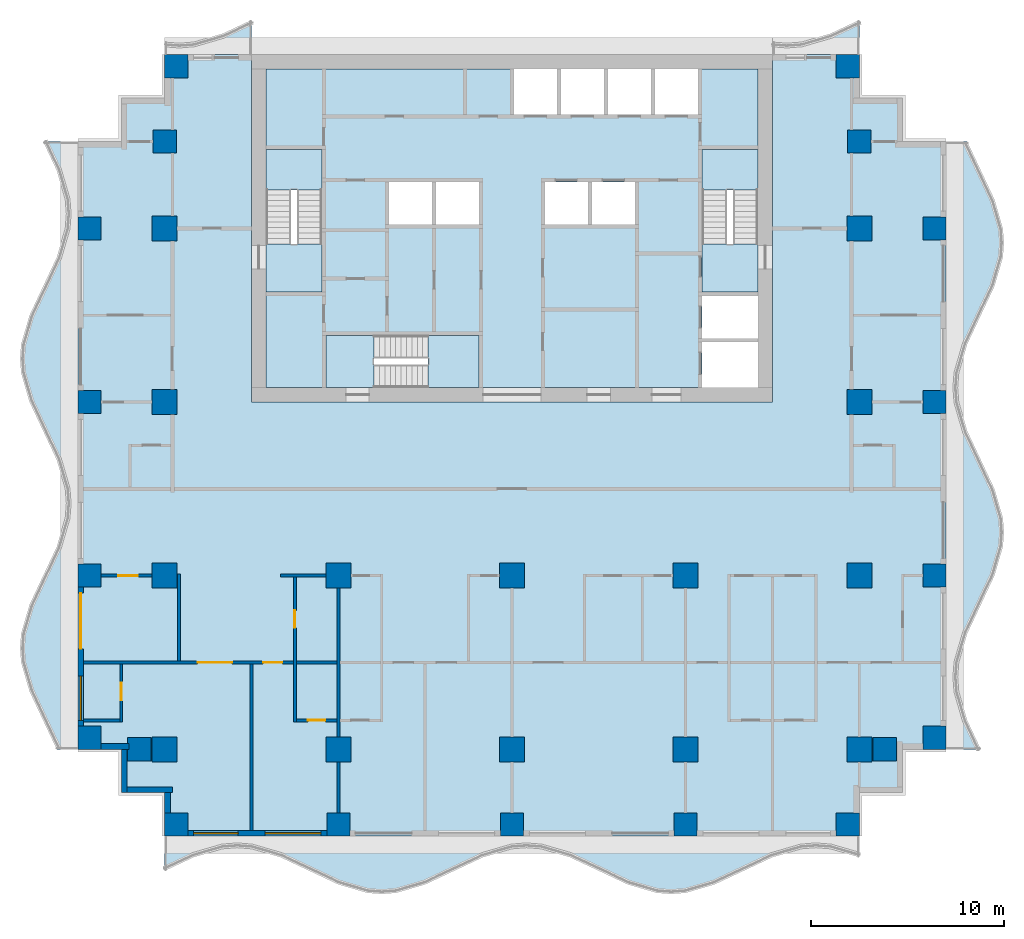
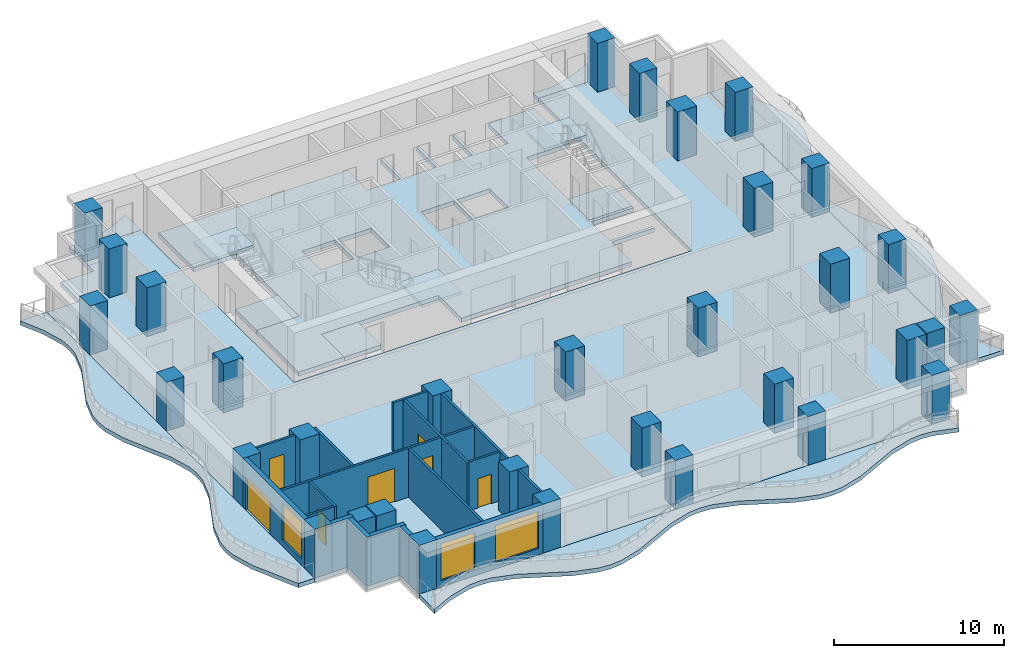
# One storey, part 1 of 10: 33 columns, 18 walls, 13 slabs, 7 doors, 3 windows, 10 openings, 3 elements without a shape of their own.
"""IFC4 building model written with IfcOpenShell, lengths in metres."""

from ifc_helpers import new_model, si_unit, direction, frame, frame_2d, origin, origin_2d, place, context, subcontext, project, spatial, polyline, rectangle, outline, extrude, material, layer, layer_set, material_profile, profile_set, type_object, element, fill, aggregate, save


model = new_model("IFC4")

# Units and contexts
model_context = context("Model", 3, precision=1e-05, world=origin(), true_north=direction((0.0, 1.0)))
body_context = subcontext(model_context, "Body", "Model", "MODEL_VIEW")
ifc_project = project(units=[si_unit("LENGTHUNIT", "METRE"), si_unit("AREAUNIT", "SQUARE_METRE"), si_unit("VOLUMEUNIT", "CUBIC_METRE"), si_unit("PLANEANGLEUNIT", "RADIAN"), si_unit("MASSUNIT", "GRAM", prefix="KILO")], contexts=[model_context])

# Site, building, storey
site_placement = place(None, origin())
site = spatial("IfcSite", under=ifc_project, at=site_placement, CompositionType="ELEMENT")
building_placement = place(site_placement, origin())
building = spatial("IfcBuilding", under=site, at=building_placement, Name="Orbiselva Terraces", CompositionType="ELEMENT")
storey_placement = place(building_placement, frame((0.0, 0.0, 128.8)))
storey = spatial("IfcBuildingStorey", under=building, at=storey_placement, Name="L32", CompositionType="ELEMENT", Elevation=128.8)

# Columns
ifc_material_1 = material(Name="Concrete C70/85", Category="concrete")
ifc_material_profile_1 = material_profile(ifc_material_1, rectangle(XDim=1.3, YDim=1.3, at=origin_2d()), Name="RC 1300x1300")
ifc_profile_set_1 = profile_set([ifc_material_profile_1], Name="Concrete C70/85")
column_type_1 = type_object("IfcColumnType", Name="COLUMN RC 1300x1300", PredefinedType="COLUMN", material=ifc_profile_set_1)
for number, where, z_axis, x_axis, name in (
    (1, (-18.0, -13.5, 0.0), (0.0, 0.0, 1.0), (1.0, 0.0, 0.0), "Column L32-01"),
    (2, (-18.0, -4.5, 0.0), (0.0, 0.0, 1.0), (1.0, 0.0, 0.0), "Column L32-03"),
    (3, (-18.0, 13.5, 0.0), (0.0, 0.0, 1.0), (1.0, 0.0, 0.0), "Column L32-04"),
    (4, (-18.0, 4.5, 0.0), (0.0, 0.0, 1.0), (1.0, 0.0, 0.0), "Column L32-06"),
    (5, (-9.0, -13.5, 0.0), (0.0, 0.0, 1.0), (1.0, 0.0, 0.0), "Column L32-13"),
    (6, (-9.0, -4.5, 0.0), (0.0, 0.0, 1.0), (1.0, 0.0, 0.0), "Column L32-15"),
    (7, (0.0, -13.5, 0.0), (0.0, 0.0, 1.0), (1.0, 0.0, 0.0), "Column L32-16"),
    (8, (0.0, -4.5, 0.0), (0.0, 0.0, 1.0), (1.0, 0.0, 0.0), "Column L32-18"),
    (9, (18.0, -13.5, 0.0), (0.0, 0.0, 1.0), (1.0, 0.0, 0.0), "Column L32-19"),
    (10, (18.0, -4.5, 0.0), (0.0, 0.0, 1.0), (1.0, 0.0, 0.0), "Column L32-21"),
    (11, (18.0, 13.5, 0.0), (0.0, 0.0, 1.0), (1.0, 0.0, 0.0), "Column L32-22"),
    (12, (18.0, 4.5, 0.0), (0.0, 0.0, 1.0), (1.0, 0.0, 0.0), "Column L32-24"),
    (13, (9.0, -13.5, 0.0), (0.0, 0.0, 1.0), (1.0, 0.0, 0.0), "Column L32-31"),
    (14, (9.0, -4.5, 0.0), (0.0, 0.0, 1.0), (1.0, 0.0, 0.0), "Column L32-33"),
):
    element("IfcColumn", number, at=place(storey_placement, frame(where, z_axis=z_axis, x_axis=x_axis)), inside=storey, type_object=column_type_1, Name=name, PredefinedType="COLUMN", context=body_context, shape_type="SweptSolid", body=[
        extrude(rectangle(XDim=1.3, YDim=1.3, at=origin_2d()), origin(), (0.0, 0.0, 1.0), 3.5),
    ])
ifc_material_2 = material(Name="Concrete C60/75", Category="concrete")
ifc_material_profile_2 = material_profile(ifc_material_2, rectangle(XDim=1.2, YDim=1.2, at=origin_2d()), Name="RC 1200x1200")
ifc_profile_set_2 = profile_set([ifc_material_profile_2], Name="Concrete C60/75")
column_type_2 = type_object("IfcColumnType", Name="PERIMETER COLUMN RC 1200x1200", PredefinedType="COLUMN", material=ifc_profile_set_2)
for number, where, z_axis, x_axis, name in (
    (15, (-17.4, -17.4, 0.0), (0.0, 0.0, 1.0), (1.0, 0.0, 0.0), "Column L32-02"),
    (16, (-17.4, 21.9, 0.0), (0.0, 0.0, 1.0), (1.0, 0.0, 0.0), "Column L32-05"),
    (17, (-21.9, -12.9, 0.0), (0.0, 0.0, 1.0), (1.0, 0.0, 0.0), "Column L32-07"),
    (18, (-19.32, -13.5, 0.0), (0.0, 0.0, 1.0), (1.0, 0.0, 0.0), "Column L32-08"),
    (19, (-21.9, -4.5, 0.0), (0.0, 0.0, 1.0), (1.0, 0.0, 0.0), "Column L32-09"),
    (20, (-21.9, 13.5, 0.0), (0.0, 0.0, 1.0), (1.0, 0.0, 0.0), "Column L32-10"),
    (21, (-18.0, 18.0, 0.0), (0.0, 0.0, 1.0), (1.0, 0.0, 0.0), "Column L32-11"),
    (22, (-21.9, 4.5, 0.0), (0.0, 0.0, 1.0), (1.0, 0.0, 0.0), "Column L32-12"),
    (23, (-9.0, -17.4, 0.0), (0.0, 0.0, 1.0), (1.0, 0.0, 0.0), "Column L32-14"),
    (24, (0.0, -17.4, 0.0), (0.0, 0.0, 1.0), (1.0, 0.0, 0.0), "Column L32-17"),
    (25, (17.4, -17.4, 0.0), (0.0, 0.0, 1.0), (1.0, 0.0, 0.0), "Column L32-20"),
    (26, (17.4, 21.9, 0.0), (0.0, 0.0, 1.0), (1.0, 0.0, 0.0), "Column L32-23"),
    (27, (21.9, -12.9, 0.0), (0.0, 0.0, 1.0), (1.0, 0.0, 0.0), "Column L32-25"),
    (28, (19.32, -13.5, 0.0), (0.0, 0.0, 1.0), (1.0, 0.0, 0.0), "Column L32-26"),
    (29, (21.9, -4.5, 0.0), (0.0, 0.0, 1.0), (1.0, 0.0, 0.0), "Column L32-27"),
    (30, (21.9, 13.5, 0.0), (0.0, 0.0, 1.0), (1.0, 0.0, 0.0), "Column L32-28"),
    (31, (18.0, 18.0, 0.0), (0.0, 0.0, 1.0), (1.0, 0.0, 0.0), "Column L32-29"),
    (32, (21.9, 4.5, 0.0), (0.0, 0.0, 1.0), (1.0, 0.0, 0.0), "Column L32-30"),
    (33, (9.0, -17.4, 0.0), (0.0, 0.0, 1.0), (1.0, 0.0, 0.0), "Column L32-32"),
):
    element("IfcColumn", number, at=place(storey_placement, frame(where, z_axis=z_axis, x_axis=x_axis)), inside=storey, type_object=column_type_2, Name=name, PredefinedType="COLUMN", context=body_context, shape_type="SweptSolid", body=[
        extrude(rectangle(XDim=1.2, YDim=1.2, at=origin_2d()), origin(), (0.0, 0.0, 1.0), 3.5),
    ])

# Slabs
ifc_material_3 = material(Name="Concrete C40/50", Category="concrete")
ifc_layer_1 = layer(ifc_material_3, 0.3)
ifc_layer_set_1 = layer_set([ifc_layer_1], Name="Concrete C40/50")
slab_type_1 = type_object("IfcSlabType", Name="CORE-SLAB-FLOOR-300", PredefinedType="FLOOR", material=ifc_layer_set_1)
slab_1_placement = place(storey_placement, frame((0.0, 0.0, -0.3)))
element("IfcSlab", 34, at=slab_1_placement, inside=storey, type_object=slab_type_1, Name="L32 S1 floor landing", PredefinedType="FLOOR", context=body_context, shape_type="SweptSolid", body=[
    extrude(outline(polyline([(-12.75, 12.7), (-9.85, 12.7), (-9.85, 10.2), (-12.75, 10.2), (-12.75, 12.7)])), origin(), (0.0, 0.0, 1.0), 0.3),
])
slab_2_placement = place(storey_placement, frame((0.0, 0.0, -0.3)))
element("IfcSlab", 35, at=slab_2_placement, inside=storey, type_object=slab_type_1, Name="L32 S2 floor landing", PredefinedType="FLOOR", context=body_context, shape_type="SweptSolid", body=[
    extrude(outline(polyline([(12.75, 12.7), (12.75, 10.2), (9.85, 10.2), (9.85, 12.7), (12.75, 12.7)])), origin(), (0.0, 0.0, 1.0), 0.3),
])
slab_3_placement = place(storey_placement, frame((0.0, 0.0, -0.3)))
element("IfcSlab", 36, at=slab_3_placement, inside=storey, type_object=slab_type_1, Name="L32 S3 floor landing", PredefinedType="FLOOR", context=body_context, shape_type="SweptSolid", body=[
    extrude(outline(polyline([(-7.15, 5.25), (-9.65, 5.25), (-9.65, 7.95), (-7.15, 7.95), (-7.15, 5.25)])), origin(), (0.0, 0.0, 1.0), 0.3),
])
slab_4_placement = place(storey_placement, frame((0.0, 0.0, -0.3)))
element("IfcSlab", 37, at=slab_4_placement, inside=storey, type_object=slab_type_1, Name="L32 core floor slab 1", PredefinedType="FLOOR", context=body_context, shape_type="SweptSolid", body=[
    extrude(outline(polyline([(-1.7, 5.25), (-1.7, 7.95), (-9.65, 7.95), (-9.65, 5.25), (-12.75, 5.25), (-12.75, 10.2), (-9.85, 10.2), (-9.85, 17.6), (-12.75, 17.6), (-12.75, 21.75), (0.1, 21.75), (0.1, 19.4), (2.3375, 19.4), (2.3375, 21.75), (2.5375, 21.75), (2.5375, 19.4), (4.775, 19.4), (4.775, 21.75), (4.975, 21.75), (4.975, 19.4), (7.2125, 19.4), (7.2125, 21.75), (7.4125, 21.75), (7.4125, 19.4), (9.65, 19.4), (9.65, 21.75), (12.75, 21.75), (12.75, 17.6), (9.85, 17.6), (9.85, 10.2), (12.75, 10.2), (12.75, 10.0), (9.85, 10.0), (9.85, 7.8), (12.75, 7.8), (12.75, 7.6), (9.85, 7.6), (9.85, 5.25), (-1.7, 5.25)]), holes=[polyline([(-4.1375, 13.7), (-4.1375, 15.9), (-6.375, 15.9), (-6.375, 13.7), (-4.1375, 13.7)]), polyline([(-1.7, 13.7), (-1.7, 15.9), (-3.9375, 15.9), (-3.9375, 13.7), (-1.7, 13.7)]), polyline([(3.9375, 15.9), (1.7, 15.9), (1.7, 13.7), (3.9375, 13.7), (3.9375, 15.9)]), polyline([(6.375, 13.7), (6.375, 15.9), (4.1375, 15.9), (4.1375, 13.7), (6.375, 13.7)])]), origin(), (0.0, 0.0, 1.0), 0.3),
])

# Stair, slab
stair_type_1 = type_object("IfcStairType", Name="CORE-STAIR-1300", PredefinedType="HALF_TURN_STAIR", material=ifc_material_3)
stair_1_placement = place(storey_placement, origin())
stair_1 = element("IfcStair", 38, at=stair_1_placement, inside=storey, type_object=stair_type_1, Name="L32 Exit Stair S1", PredefinedType="HALF_TURN_STAIR")
ifc_layer_2 = layer(ifc_material_3, 0.2)
ifc_layer_set_2 = layer_set([ifc_layer_2], Name="Concrete C40/50")
slab_type_2 = type_object("IfcSlabType", Name="CORE-STAIR-LANDING-200", PredefinedType="LANDING", material=ifc_layer_set_2)
slab_5_placement = place(storey_placement, frame((0.0, 0.0, 1.7)))
slab_5 = element("IfcSlab", 39, at=slab_5_placement, type_object=slab_type_2, Name="S1 landing 1", PredefinedType="LANDING", context=body_context, shape_type="SweptSolid", body=[
    extrude(outline(polyline([(-9.85, 15.5), (-9.85, 17.6), (-12.75, 17.6), (-12.75, 15.5), (-9.85, 15.5)])), origin(), (0.0, 0.0, 1.0), 0.2),
])
aggregate(stair_1, [slab_5])

stair_2_placement = place(storey_placement, origin())
stair_2 = element("IfcStair", 40, at=stair_2_placement, inside=storey, type_object=stair_type_1, Name="L32 Exit Stair S2", PredefinedType="HALF_TURN_STAIR")
slab_6_placement = place(storey_placement, frame((0.0, 0.0, 1.7)))
slab_6 = element("IfcSlab", 41, at=slab_6_placement, type_object=slab_type_2, Name="S2 landing 1", PredefinedType="LANDING", context=body_context, shape_type="SweptSolid", body=[
    extrude(outline(polyline([(12.75, 15.5), (12.75, 17.6), (9.85, 17.6), (9.85, 15.5), (12.75, 15.5)])), origin(), (0.0, 0.0, 1.0), 0.2),
])
aggregate(stair_2, [slab_6])

stair_type_2 = type_object("IfcStairType", Name="CORE-STAIR-1200", PredefinedType="HALF_TURN_STAIR", material=ifc_material_3)
stair_3_placement = place(storey_placement, origin())
stair_3 = element("IfcStair", 42, at=stair_3_placement, inside=storey, type_object=stair_type_2, Name="L32 Exit Stair S3", PredefinedType="HALF_TURN_STAIR")
slab_7_placement = place(storey_placement, frame((0.0, 0.0, 1.7)))
slab_7 = element("IfcSlab", 43, at=slab_7_placement, type_object=slab_type_2, Name="S3 landing 1", PredefinedType="LANDING", context=body_context, shape_type="SweptSolid", body=[
    extrude(outline(polyline([(-4.35, 5.25), (-1.7, 5.25), (-1.7, 7.95), (-4.35, 7.95), (-4.35, 5.25)])), origin(), (0.0, 0.0, 1.0), 0.2),
])
aggregate(stair_3, [slab_7])

# Slabs
ifc_material_4 = material(Name="Concrete C50/60", Category="concrete")
ifc_layer_3 = layer(ifc_material_4, 0.3)
ifc_layer_set_3 = layer_set([ifc_layer_3], Name="Concrete C50/60")
slab_type_3 = type_object("IfcSlabType", Name="ENV-BALCONY-SLAB-300", PredefinedType="FLOOR", material=ifc_layer_set_3)
slab_8_placement = place(storey_placement, frame((0.0, 0.0, -0.3)))
element("IfcSlab", 44, at=slab_8_placement, inside=storey, type_object=slab_type_3, Name="Balcony slab L32 S", PredefinedType="FLOOR", context=body_context, shape_type="SweptSolid", body=[
    extrude(outline(polyline([(-18.0, -19.8), (-16.5, -19.094658), (-15.0, -18.658732), (-14.25, -18.6), (-13.5, -18.658732), (-12.0, -19.094658), (-9.0, -20.505342), (-7.5, -20.941268), (-6.75, -21.0), (-6.0, -20.941268), (-4.5, -20.505342), (-1.5, -19.094658), (0.0, -18.658732), (0.75, -18.6), (1.5, -18.658732), (3.0, -19.094658), (6.0, -20.505342), (7.5, -20.941268), (8.25, -21.0), (9.0, -20.941268), (10.5, -20.505342), (13.5, -19.094658), (15.0, -18.658732), (15.75, -18.6), (16.5, -18.658732), (18.0, -19.094658), (18.0, -18.0), (-18.0, -18.0), (-18.0, -19.8)])), origin(), (0.0, 0.0, 1.0), 0.3),
])
slab_9_placement = place(storey_placement, frame((0.0, 0.0, -0.3)))
element("IfcSlab", 45, at=slab_9_placement, inside=storey, type_object=slab_type_3, Name="Balcony slab L32 E", PredefinedType="FLOOR", context=body_context, shape_type="SweptSolid", body=[
    extrude(outline(polyline([(24.3, -13.5), (23.594658, -12.0), (23.158732, -10.5), (23.1, -9.75), (23.158732, -9.0), (23.594658, -7.5), (25.005342, -4.5), (25.441268, -3.0), (25.5, -2.25), (25.441268, -1.5), (25.005342, 0.0), (23.594658, 3.0), (23.158732, 4.5), (23.1, 5.25), (23.158732, 6.0), (23.594658, 7.5), (25.005342, 10.5), (25.441268, 12.0), (25.5, 12.75), (25.441268, 13.5), (25.005342, 15.0), (23.594658, 18.0), (22.5, 18.0), (22.5, -13.5), (24.3, -13.5)])), origin(), (0.0, 0.0, 1.0), 0.3),
])
slab_10_placement = place(storey_placement, frame((0.0, 0.0, -0.3)))
element("IfcSlab", 46, at=slab_10_placement, inside=storey, type_object=slab_type_3, Name="Balcony slab L32 NE", PredefinedType="FLOOR", context=body_context, shape_type="SweptSolid", body=[
    extrude(outline(polyline([(18.0, 24.3), (16.5, 23.594658), (15.0, 23.158732), (14.25, 23.1), (13.5, 23.158732), (13.5, 22.5), (18.0, 22.5), (18.0, 24.3)])), origin(), (0.0, 0.0, 1.0), 0.3),
])
slab_11_placement = place(storey_placement, frame((0.0, 0.0, -0.3)))
element("IfcSlab", 47, at=slab_11_placement, inside=storey, type_object=slab_type_3, Name="Balcony slab L32 NW", PredefinedType="FLOOR", context=body_context, shape_type="SweptSolid", body=[
    extrude(outline(polyline([(-13.5, 24.3), (-15.0, 23.594658), (-16.5, 23.158732), (-17.25, 23.1), (-18.0, 23.158732), (-18.0, 22.5), (-13.5, 22.5), (-13.5, 24.3)])), origin(), (0.0, 0.0, 1.0), 0.3),
])
slab_12_placement = place(storey_placement, frame((0.0, 0.0, -0.3)))
element("IfcSlab", 48, at=slab_12_placement, inside=storey, type_object=slab_type_3, Name="Balcony slab L32 W", PredefinedType="FLOOR", context=body_context, shape_type="SweptSolid", body=[
    extrude(outline(polyline([(-24.3, 18.0), (-23.594658, 16.5), (-23.158732, 15.0), (-23.1, 14.25), (-23.158732, 13.5), (-23.594658, 12.0), (-25.005342, 9.0), (-25.441268, 7.5), (-25.5, 6.75), (-25.441268, 6.0), (-25.005342, 4.5), (-23.594658, 1.5), (-23.158732, 0.0), (-23.1, -0.75), (-23.158732, -1.5), (-23.594658, -3.0), (-25.005342, -6.0), (-25.441268, -7.5), (-25.5, -8.25), (-25.441268, -9.0), (-25.005342, -10.5), (-23.594658, -13.5), (-22.5, -13.5), (-22.5, 18.0), (-24.3, 18.0)])), origin(), (0.0, 0.0, 1.0), 0.3),
])
ifc_layer_4 = layer(ifc_material_4, 0.3)
ifc_layer_set_4 = layer_set([ifc_layer_4], Name="Concrete C50/60")
slab_type_4 = type_object("IfcSlabType", Name="FLOOR SLAB 300", PredefinedType="FLOOR", material=ifc_layer_set_4)
slab_13_placement = place(storey_placement, frame((0.0, 0.0, -0.3)))
element("IfcSlab", 49, at=slab_13_placement, inside=storey, type_object=slab_type_4, Name="Floor slab L32", PredefinedType="FLOOR", context=body_context, shape_type="SweptSolid", body=[
    extrude(outline(polyline([(18.0, 22.5), (18.0, 20.25), (20.25, 20.25), (20.25, 18.0), (22.5, 18.0), (22.5, -13.5), (20.25, -13.5), (20.25, -15.75), (18.0, -15.75), (18.0, -18.0), (-18.0, -18.0), (-18.0, -15.75), (-20.25, -15.75), (-20.25, -13.5), (-22.5, -13.5), (-22.5, 18.0), (-20.25, 18.0), (-20.25, 20.25), (-18.0, 20.25), (-18.0, 22.5), (-13.5, 22.5), (-13.5, 4.5), (13.5, 4.5), (13.5, 22.5), (18.0, 22.5)])), origin(), (0.0, 0.0, 1.0), 0.3),
])

# Wall, openings, windows
ifc_material_5 = material(Name="Terracotta cladding on masonry backing", Category="masonry")
ifc_layer_5 = layer(ifc_material_5, 0.3)
ifc_layer_set_5 = layer_set([ifc_layer_5], Name="Terracotta cladding on masonry backing")
wall_type_1 = type_object("IfcWallType", Name="ENV-WALL-TERRACOTTA-300", PredefinedType="SOLIDWALL", material=ifc_layer_set_5)
wall_1_placement = place(storey_placement, frame((-9.6, -17.85, 0.0), z_axis=(0.0, 0.0, 1.0), x_axis=(-1.0, 0.0, 0.0)))
wall_1 = element("IfcWall", 50, at=wall_1_placement, inside=storey, type_object=wall_type_1, Name="Facade wall L32 S", PredefinedType="SOLIDWALL", context=body_context, shape_type="SweptSolid", body=[
    extrude(rectangle(XDim=7.2, YDim=0.3, at=frame_2d((3.6, 0.0))), origin(), (0.0, 0.0, 1.0), 3.5),
])
opening_1_placement = place(wall_1_placement, frame((4.6, 0.0, 0.45)))
opening_1 = element("IfcOpeningElement", 51, at=opening_1_placement, cuts=wall_1, Name="Opening WN7", PredefinedType="OPENING", context=body_context, shape_type="SweptSolid", body=[
    extrude(rectangle(XDim=2.3, YDim=2.65, at=frame_2d((1.15, 1.325))), frame((0.0, 0.16, 0.0), z_axis=(0.0, -1.0, 0.0), x_axis=(1.0, 0.0, 0.0)), (0.0, 0.0, 1.0), 0.32),
])
opening_2_placement = place(wall_1_placement, frame((0.3, 0.0, 0.45)))
opening_2 = element("IfcOpeningElement", 52, at=opening_2_placement, cuts=wall_1, Name="Opening WN8", PredefinedType="OPENING", context=body_context, shape_type="SweptSolid", body=[
    extrude(rectangle(XDim=2.9, YDim=2.65, at=frame_2d((1.45, 1.325))), frame((0.0, 0.16, 0.0), z_axis=(0.0, -1.0, 0.0), x_axis=(1.0, 0.0, 0.0)), (0.0, 0.0, 1.0), 0.32),
])
ifc_material_6 = material(Name="Clear low-e glazing in aluminium frame", Category="aluminium")
window_type_1 = type_object("IfcWindowType", Name="WINDOW 2300 X 2650 S450", PartitioningType="TRIPLE_PANEL_VERTICAL", PredefinedType="WINDOW", material=ifc_material_6)
window_1_placement = place(opening_1_placement, origin())
window_1 = element("IfcWindow", 53, at=window_1_placement, inside=storey, type_object=window_type_1, Name="Window L32 S", OverallHeight=2.65, OverallWidth=2.3, PartitioningType="SINGLE_PANEL", PredefinedType="WINDOW", context=body_context, shape_type="SweptSolid", body=[
    extrude(rectangle(XDim=2.3, YDim=2.65, at=frame_2d((1.15, 1.325))), frame((0.0, 0.03, 0.0), z_axis=(0.0, -1.0, 0.0), x_axis=(1.0, 0.0, 0.0)), (0.0, 0.0, 1.0), 0.06),
])
fill(opening_1, window_1)
window_type_2 = type_object("IfcWindowType", Name="WINDOW 2900 X 2650 S450", PartitioningType="TRIPLE_PANEL_VERTICAL", PredefinedType="WINDOW", material=ifc_material_6)
window_2_placement = place(opening_2_placement, origin())
window_2 = element("IfcWindow", 54, at=window_2_placement, inside=storey, type_object=window_type_2, Name="Window L32 S", OverallHeight=2.65, OverallWidth=2.9, PartitioningType="SINGLE_PANEL", PredefinedType="WINDOW", context=body_context, shape_type="SweptSolid", body=[
    extrude(rectangle(XDim=2.9, YDim=2.65, at=frame_2d((1.45, 1.325))), frame((0.0, 0.03, 0.0), z_axis=(0.0, -1.0, 0.0), x_axis=(1.0, 0.0, 0.0)), (0.0, 0.0, 1.0), 0.06),
])
fill(opening_2, window_2)

# Wall, openings, door, window
wall_2_placement = place(storey_placement, frame((-22.35, -12.3, 0.0), z_axis=(0.0, 0.0, 1.0), x_axis=(0.0, 1.0, 0.0)))
wall_2 = element("IfcWall", 55, at=wall_2_placement, inside=storey, type_object=wall_type_1, Name="Facade wall L32 W", PredefinedType="SOLIDWALL", context=body_context, shape_type="SweptSolid", body=[
    extrude(rectangle(XDim=7.2, YDim=0.3, at=frame_2d((3.6, 0.0))), origin(), (0.0, 0.0, 1.0), 3.5),
])
opening_3_placement = place(wall_2_placement, frame((4.0, 0.0, 0.0)))
opening_3 = element("IfcOpeningElement", 56, at=opening_3_placement, cuts=wall_2, Name="Opening Z3-A-E16", PredefinedType="OPENING", context=body_context, shape_type="SweptSolid", body=[
    extrude(rectangle(XDim=2.9, YDim=2.4, at=frame_2d((1.45, 1.2))), frame((0.0, 0.16, 0.0), z_axis=(0.0, -1.0, 0.0), x_axis=(1.0, 0.0, 0.0)), (0.0, 0.0, 1.0), 0.32),
])
opening_4_placement = place(wall_2_placement, frame((0.3, 0.0, 0.45)))
opening_4 = element("IfcOpeningElement", 57, at=opening_4_placement, cuts=wall_2, Name="Opening WN7", PredefinedType="OPENING", context=body_context, shape_type="SweptSolid", body=[
    extrude(rectangle(XDim=2.3, YDim=2.65, at=frame_2d((1.15, 1.325))), frame((0.0, 0.16, 0.0), z_axis=(0.0, -1.0, 0.0), x_axis=(1.0, 0.0, 0.0)), (0.0, 0.0, 1.0), 0.32),
])
door_type_1 = type_object("IfcDoorType", Name="BALCONY DOOR 2900 X 2400", OperationType="DOUBLE_DOOR_SLIDING", PredefinedType="DOOR", material=ifc_material_6)
door_1_placement = place(opening_3_placement, origin())
door_1 = element("IfcDoor", 58, at=door_1_placement, inside=storey, type_object=door_type_1, Name="Z3-A-E16", OperationType="SINGLE_SWING_LEFT", OverallHeight=2.4, OverallWidth=2.9, PredefinedType="DOOR", context=body_context, shape_type="SweptSolid", body=[
    extrude(rectangle(XDim=2.9, YDim=2.4, at=frame_2d((1.45, 1.2))), frame((0.0, 0.025, 0.0), z_axis=(0.0, -1.0, 0.0), x_axis=(1.0, 0.0, 0.0)), (0.0, 0.0, 1.0), 0.05),
])
fill(opening_3, door_1)
window_3_placement = place(opening_4_placement, origin())
window_3 = element("IfcWindow", 59, at=window_3_placement, inside=storey, type_object=window_type_1, Name="Window L32 W", OverallHeight=2.65, OverallWidth=2.3, PartitioningType="SINGLE_PANEL", PredefinedType="WINDOW", context=body_context, shape_type="SweptSolid", body=[
    extrude(rectangle(XDim=2.3, YDim=2.65, at=frame_2d((1.15, 1.325))), frame((0.0, 0.03, 0.0), z_axis=(0.0, -1.0, 0.0), x_axis=(1.0, 0.0, 0.0)), (0.0, 0.0, 1.0), 0.06),
])
fill(opening_4, window_3)

# Walls
wall_3_placement = place(storey_placement, frame((-19.85, -13.35, 0.0), z_axis=(0.0, 0.0, 1.0), x_axis=(-1.0, 0.0, 0.0)))
element("IfcWall", 60, at=wall_3_placement, inside=storey, type_object=wall_type_1, Name="Facade wall L32 STEP", PredefinedType="SOLIDWALL", context=body_context, shape_type="SweptSolid", body=[
    extrude(rectangle(XDim=1.45, YDim=0.3, at=frame_2d((0.725, 0.0))), origin(), (0.0, 0.0, 1.0), 3.5),
])
wall_4_placement = place(storey_placement, frame((-20.1, -15.75, 0.0), z_axis=(0.0, 0.0, 1.0), x_axis=(0.0, 1.0, 0.0)))
element("IfcWall", 61, at=wall_4_placement, inside=storey, type_object=wall_type_1, Name="Facade wall L32 STEP", PredefinedType="SOLIDWALL", context=body_context, shape_type="SweptSolid", body=[
    extrude(rectangle(XDim=2.25, YDim=0.3, at=frame_2d((1.125, 0.0))), origin(), (0.0, 0.0, 1.0), 3.5),
])
wall_5_placement = place(storey_placement, frame((-17.6, -15.6, 0.0), z_axis=(0.0, 0.0, 1.0), x_axis=(-1.0, 0.0, 0.0)))
element("IfcWall", 62, at=wall_5_placement, inside=storey, type_object=wall_type_1, Name="Facade wall L32 STEP", PredefinedType="SOLIDWALL", context=body_context, shape_type="SweptSolid", body=[
    extrude(rectangle(XDim=2.35, YDim=0.3, at=frame_2d((1.175, 0.0))), origin(), (0.0, 0.0, 1.0), 3.5),
])
wall_6_placement = place(storey_placement, frame((-17.85, -16.8, 0.0), z_axis=(0.0, 0.0, 1.0), x_axis=(0.0, 1.0, 0.0)))
element("IfcWall", 63, at=wall_6_placement, inside=storey, type_object=wall_type_1, Name="Facade wall L32 STEP", PredefinedType="SOLIDWALL", context=body_context, shape_type="SweptSolid", body=[
    extrude(rectangle(XDim=1.05, YDim=0.3, at=frame_2d((0.525, 0.0))), origin(), (0.0, 0.0, 1.0), 3.5),
])
ifc_material_7 = material(Name="Plasterboard on steel stud partition", Category="steel")
ifc_layer_6 = layer(ifc_material_7, 0.15)
ifc_layer_set_6 = layer_set([ifc_layer_6], Name="Plasterboard on steel stud partition")
wall_type_2 = type_object("IfcWallType", Name="UNIT-PARTITION-150", PredefinedType="PARTITIONING", material=ifc_layer_set_6)
wall_7_placement = place(storey_placement, frame((-22.2, -12.0, 0.0), z_axis=(0.0, 0.0, 1.0), x_axis=(1.0, 0.0, 0.0)))
element("IfcWall", 64, at=wall_7_placement, inside=storey, type_object=wall_type_2, Name="PARTITION L32-001", PredefinedType="PARTITIONING", context=body_context, shape_type="SweptSolid", body=[
    extrude(rectangle(XDim=1.875, YDim=0.15, at=frame_2d((0.9375, 0.0))), origin(), (0.0, 0.0, 1.0), 3.5),
])

# Wall, opening, door
wall_8_placement = place(storey_placement, frame((-11.175, -12.0, 0.0), z_axis=(0.0, 0.0, 1.0), x_axis=(1.0, 0.0, 0.0)))
wall_8 = element("IfcWall", 65, at=wall_8_placement, inside=storey, type_object=wall_type_2, Name="PARTITION L32-002", PredefinedType="PARTITIONING", context=body_context, shape_type="SweptSolid", body=[
    extrude(rectangle(XDim=2.1, YDim=0.15, at=frame_2d((1.05, 0.0))), origin(), (0.0, 0.0, 1.0), 3.5),
])
opening_5_placement = place(wall_8_placement, frame((0.6, 0.0, 0.0)))
opening_5 = element("IfcOpeningElement", 66, at=opening_5_placement, cuts=wall_8, Name="Opening Z3-A-26", PredefinedType="OPENING", context=body_context, shape_type="SweptSolid", body=[
    extrude(rectangle(XDim=0.9, YDim=2.1, at=frame_2d((0.45, 1.05))), frame((0.0, 0.085, 0.0), z_axis=(0.0, -1.0, 0.0), x_axis=(1.0, 0.0, 0.0)), (0.0, 0.0, 1.0), 0.17),
])
ifc_material_8 = material(Name="Painted timber door leaf", Category="wood")
door_type_2 = type_object("IfcDoorType", Name="BATH DOOR 900", OperationType="NOTDEFINED", PredefinedType="DOOR", material=ifc_material_8)
door_2_placement = place(opening_5_placement, origin())
door_2 = element("IfcDoor", 67, at=door_2_placement, inside=storey, type_object=door_type_2, Name="Z3-A-26", OperationType="SINGLE_SWING_LEFT", OverallHeight=2.1, OverallWidth=0.9, PredefinedType="DOOR", context=body_context, shape_type="SweptSolid", body=[
    extrude(rectangle(XDim=0.9, YDim=2.1, at=frame_2d((0.45, 1.05))), frame((0.0, 0.025, 0.0), z_axis=(0.0, -1.0, 0.0), x_axis=(1.0, 0.0, 0.0)), (0.0, 0.0, 1.0), 0.05),
])
fill(opening_5, door_2)

# Wall, openings, doors
wall_9_placement = place(storey_placement, frame((-11.325, -9.0, 0.0), z_axis=(0.0, 0.0, 1.0), x_axis=(-1.0, 0.0, 0.0)))
wall_9 = element("IfcWall", 68, at=wall_9_placement, inside=storey, type_object=wall_type_2, Name="PARTITION L32-006", PredefinedType="PARTITIONING", context=body_context, shape_type="SweptSolid", body=[
    extrude(rectangle(XDim=10.875, YDim=0.15, at=frame_2d((5.4375, 0.0))), origin(), (0.0, 0.0, 1.0), 3.5),
])
opening_6_placement = place(wall_9_placement, frame((3.175, 0.0, 0.0)))
opening_6 = element("IfcOpeningElement", 69, at=opening_6_placement, cuts=wall_9, Name="Opening Z3-A-23", PredefinedType="OPENING", context=body_context, shape_type="SweptSolid", body=[
    extrude(rectangle(XDim=1.8, YDim=2.4, at=frame_2d((0.9, 1.2))), frame((0.0, 0.085, 0.0), z_axis=(0.0, -1.0, 0.0), x_axis=(1.0, 0.0, 0.0)), (0.0, 0.0, 1.0), 0.17),
])
opening_7_placement = place(wall_9_placement, frame((0.575, 0.0, 0.0)))
opening_7 = element("IfcOpeningElement", 70, at=opening_7_placement, cuts=wall_9, Name="Opening Z3-A-25", PredefinedType="OPENING", context=body_context, shape_type="SweptSolid", body=[
    extrude(rectangle(XDim=1.0, YDim=2.4, at=frame_2d((0.5, 1.2))), frame((0.0, 0.085, 0.0), z_axis=(0.0, -1.0, 0.0), x_axis=(1.0, 0.0, 0.0)), (0.0, 0.0, 1.0), 0.17),
])
door_type_3 = type_object("IfcDoorType", Name="DOUBLE DOOR 1800", OperationType="NOTDEFINED", PredefinedType="DOOR", material=ifc_material_8)
door_3_placement = place(opening_6_placement, origin())
door_3 = element("IfcDoor", 71, at=door_3_placement, inside=storey, type_object=door_type_3, Name="Z3-A-23", OperationType="DOUBLE_DOOR_SINGLE_SWING", OverallHeight=2.4, OverallWidth=1.8, PredefinedType="DOOR", context=body_context, shape_type="SweptSolid", body=[
    extrude(rectangle(XDim=1.8, YDim=2.4, at=frame_2d((0.9, 1.2))), frame((0.0, 0.025, 0.0), z_axis=(0.0, -1.0, 0.0), x_axis=(1.0, 0.0, 0.0)), (0.0, 0.0, 1.0), 0.05),
])
fill(opening_6, door_3)
door_type_4 = type_object("IfcDoorType", Name="ROOM DOOR 1000", OperationType="NOTDEFINED", PredefinedType="DOOR", material=ifc_material_8)
door_4_placement = place(opening_7_placement, origin())
door_4 = element("IfcDoor", 72, at=door_4_placement, inside=storey, type_object=door_type_4, Name="Z3-A-25", OperationType="SINGLE_SWING_LEFT", OverallHeight=2.4, OverallWidth=1.0, PredefinedType="DOOR", context=body_context, shape_type="SweptSolid", body=[
    extrude(rectangle(XDim=1.0, YDim=2.4, at=frame_2d((0.5, 1.2))), frame((0.0, 0.025, 0.0), z_axis=(0.0, -1.0, 0.0), x_axis=(1.0, 0.0, 0.0)), (0.0, 0.0, 1.0), 0.05),
])
fill(opening_7, door_4)

# Wall
wall_10_placement = place(storey_placement, frame((-11.175, -9.0, 0.0), z_axis=(0.0, 0.0, 1.0), x_axis=(1.0, 0.0, 0.0)))
element("IfcWall", 73, at=wall_10_placement, inside=storey, type_object=wall_type_2, Name="PARTITION L32-007", PredefinedType="PARTITIONING", context=body_context, shape_type="SweptSolid", body=[
    extrude(rectangle(XDim=2.1, YDim=0.15, at=frame_2d((1.05, 0.0))), origin(), (0.0, 0.0, 1.0), 3.5),
])

# Wall, opening, door
wall_11_placement = place(storey_placement, frame((-18.65, -4.5, 0.0), z_axis=(0.0, 0.0, 1.0), x_axis=(-1.0, 0.0, 0.0)))
wall_11 = element("IfcWall", 74, at=wall_11_placement, inside=storey, type_object=wall_type_2, Name="PARTITION L32-015", PredefinedType="PARTITIONING", context=body_context, shape_type="SweptSolid", body=[
    extrude(rectangle(XDim=2.65, YDim=0.15, at=frame_2d((1.325, 0.0))), origin(), (0.0, 0.0, 1.0), 3.5),
])
opening_8_placement = place(wall_11_placement, frame((0.75, 0.0, 0.0)))
opening_8 = element("IfcOpeningElement", 75, at=opening_8_placement, cuts=wall_11, Name="Opening Z3-A-14", PredefinedType="OPENING", context=body_context, shape_type="SweptSolid", body=[
    extrude(rectangle(XDim=1.0, YDim=2.4, at=frame_2d((0.5, 1.2))), frame((0.0, 0.085, 0.0), z_axis=(0.0, -1.0, 0.0), x_axis=(1.0, 0.0, 0.0)), (0.0, 0.0, 1.0), 0.17),
])
door_5_placement = place(opening_8_placement, origin())
door_5 = element("IfcDoor", 76, at=door_5_placement, inside=storey, type_object=door_type_4, Name="Z3-A-14", OperationType="SINGLE_SWING_LEFT", OverallHeight=2.4, OverallWidth=1.0, PredefinedType="DOOR", context=body_context, shape_type="SweptSolid", body=[
    extrude(rectangle(XDim=1.0, YDim=2.4, at=frame_2d((0.5, 1.2))), frame((0.0, 0.025, 0.0), z_axis=(0.0, -1.0, 0.0), x_axis=(1.0, 0.0, 0.0)), (0.0, 0.0, 1.0), 0.05),
])
fill(opening_8, door_5)

# Wall
wall_12_placement = place(storey_placement, frame((-12.0, -4.5, 0.0), z_axis=(0.0, 0.0, 1.0), x_axis=(1.0, 0.0, 0.0)))
element("IfcWall", 77, at=wall_12_placement, inside=storey, type_object=wall_type_2, Name="PARTITION L32-016", PredefinedType="PARTITIONING", context=body_context, shape_type="SweptSolid", body=[
    extrude(rectangle(XDim=2.35, YDim=0.15, at=frame_2d((1.175, 0.0))), origin(), (0.0, 0.0, 1.0), 3.5),
])

# Wall, opening, door
wall_13_placement = place(storey_placement, frame((-20.25, -12.075, 0.0), z_axis=(0.0, 0.0, 1.0), x_axis=(0.0, 1.0, 0.0)))
wall_13 = element("IfcWall", 78, at=wall_13_placement, inside=storey, type_object=wall_type_2, Name="PARTITION L32-035", PredefinedType="PARTITIONING", context=body_context, shape_type="SweptSolid", body=[
    extrude(rectangle(XDim=3.0, YDim=0.15, at=frame_2d((1.5, 0.0))), origin(), (0.0, 0.0, 1.0), 3.5),
])
opening_9_placement = place(wall_13_placement, frame((1.125, 0.0, 0.0)))
opening_9 = element("IfcOpeningElement", 79, at=opening_9_placement, cuts=wall_13, Name="Opening Z3-A-24", PredefinedType="OPENING", context=body_context, shape_type="SweptSolid", body=[
    extrude(rectangle(XDim=0.9, YDim=2.1, at=frame_2d((0.45, 1.05))), frame((0.0, 0.085, 0.0), z_axis=(0.0, -1.0, 0.0), x_axis=(1.0, 0.0, 0.0)), (0.0, 0.0, 1.0), 0.17),
])
door_6_placement = place(opening_9_placement, origin())
door_6 = element("IfcDoor", 80, at=door_6_placement, inside=storey, type_object=door_type_2, Name="Z3-A-24", OperationType="SINGLE_SWING_RIGHT", OverallHeight=2.1, OverallWidth=0.9, PredefinedType="DOOR", context=body_context, shape_type="SweptSolid", body=[
    extrude(rectangle(XDim=0.9, YDim=2.1, at=frame_2d((0.45, 1.05))), frame((0.0, 0.025, 0.0), z_axis=(0.0, -1.0, 0.0), x_axis=(1.0, 0.0, 0.0)), (0.0, 0.0, 1.0), 0.05),
])
fill(opening_9, door_6)

# Walls
wall_14_placement = place(storey_placement, frame((-17.25, -8.925, 0.0), z_axis=(0.0, 0.0, 1.0), x_axis=(0.0, 1.0, 0.0)))
element("IfcWall", 81, at=wall_14_placement, inside=storey, type_object=wall_type_2, Name="PARTITION L32-041", PredefinedType="PARTITIONING", context=body_context, shape_type="SweptSolid", body=[
    extrude(rectangle(XDim=4.5, YDim=0.15, at=frame_2d((2.25, 0.0))), origin(), (0.0, 0.0, 1.0), 3.5),
])
wall_15_placement = place(storey_placement, frame((-13.5, -17.7, 0.0), z_axis=(0.0, 0.0, 1.0), x_axis=(0.0, 1.0, 0.0)))
element("IfcWall", 82, at=wall_15_placement, inside=storey, type_object=wall_type_2, Name="PARTITION L32-042", PredefinedType="PARTITIONING", context=body_context, shape_type="SweptSolid", body=[
    extrude(rectangle(XDim=8.625, YDim=0.15, at=frame_2d((4.3125, 0.0))), origin(), (0.0, 0.0, 1.0), 3.5),
])

# Wall, opening, door
wall_16_placement = place(storey_placement, frame((-11.25, -4.575, 0.0), z_axis=(0.0, 0.0, 1.0), x_axis=(0.0, -1.0, 0.0)))
wall_16 = element("IfcWall", 83, at=wall_16_placement, inside=storey, type_object=wall_type_2, Name="PARTITION L32-043", PredefinedType="PARTITIONING", context=body_context, shape_type="SweptSolid", body=[
    extrude(rectangle(XDim=7.5, YDim=0.15, at=frame_2d((3.75, 0.0))), origin(), (0.0, 0.0, 1.0), 3.5),
])
opening_10_placement = place(wall_16_placement, frame((1.725, 0.0, 0.0)))
opening_10 = element("IfcOpeningElement", 84, at=opening_10_placement, cuts=wall_16, Name="Opening Z3-A-15", PredefinedType="OPENING", context=body_context, shape_type="SweptSolid", body=[
    extrude(rectangle(XDim=0.9, YDim=2.1, at=frame_2d((0.45, 1.05))), frame((0.0, 0.085, 0.0), z_axis=(0.0, -1.0, 0.0), x_axis=(1.0, 0.0, 0.0)), (0.0, 0.0, 1.0), 0.17),
])
door_7_placement = place(opening_10_placement, origin())
door_7 = element("IfcDoor", 85, at=door_7_placement, inside=storey, type_object=door_type_2, Name="Z3-A-15", OperationType="SINGLE_SWING_LEFT", OverallHeight=2.1, OverallWidth=0.9, PredefinedType="DOOR", context=body_context, shape_type="SweptSolid", body=[
    extrude(rectangle(XDim=0.9, YDim=2.1, at=frame_2d((0.45, 1.05))), frame((0.0, 0.025, 0.0), z_axis=(0.0, -1.0, 0.0), x_axis=(1.0, 0.0, 0.0)), (0.0, 0.0, 1.0), 0.05),
])
fill(opening_10, door_7)

# Walls
wall_17_placement = place(storey_placement, frame((-9.0, -16.8, 0.0), z_axis=(0.0, 0.0, 1.0), x_axis=(0.0, 1.0, 0.0)))
element("IfcWall", 86, at=wall_17_placement, inside=storey, type_object=wall_type_2, Name="PARTITION L32-044", PredefinedType="PARTITIONING", context=body_context, shape_type="SweptSolid", body=[
    extrude(rectangle(XDim=2.65, YDim=0.15, at=frame_2d((1.325, 0.0))), origin(), (0.0, 0.0, 1.0), 3.5),
])
wall_18_placement = place(storey_placement, frame((-9.0, -12.85, 0.0), z_axis=(0.0, 0.0, 1.0), x_axis=(0.0, 1.0, 0.0)))
element("IfcWall", 87, at=wall_18_placement, inside=storey, type_object=wall_type_2, Name="PARTITION L32-045", PredefinedType="PARTITIONING", context=body_context, shape_type="SweptSolid", body=[
    extrude(rectangle(XDim=7.7, YDim=0.15, at=frame_2d((3.85, 0.0))), origin(), (0.0, 0.0, 1.0), 3.5),
])

save(model, "model.ifc")
